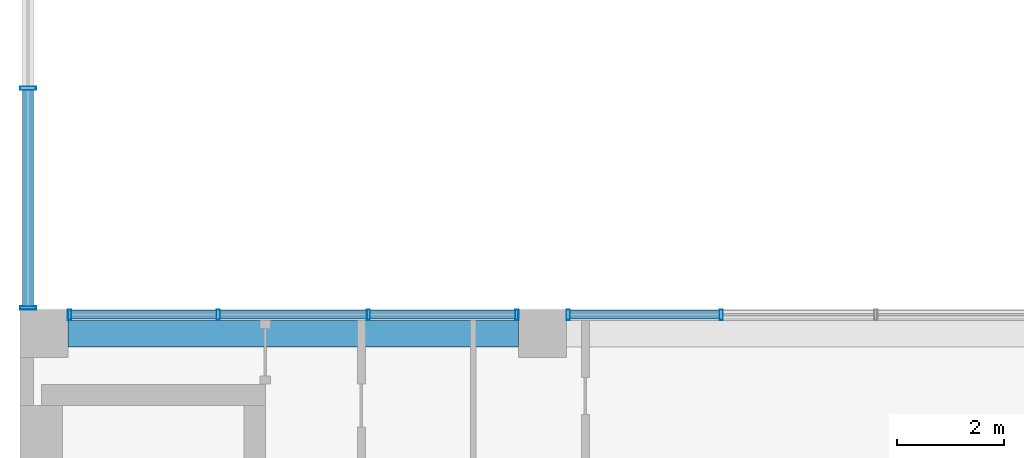
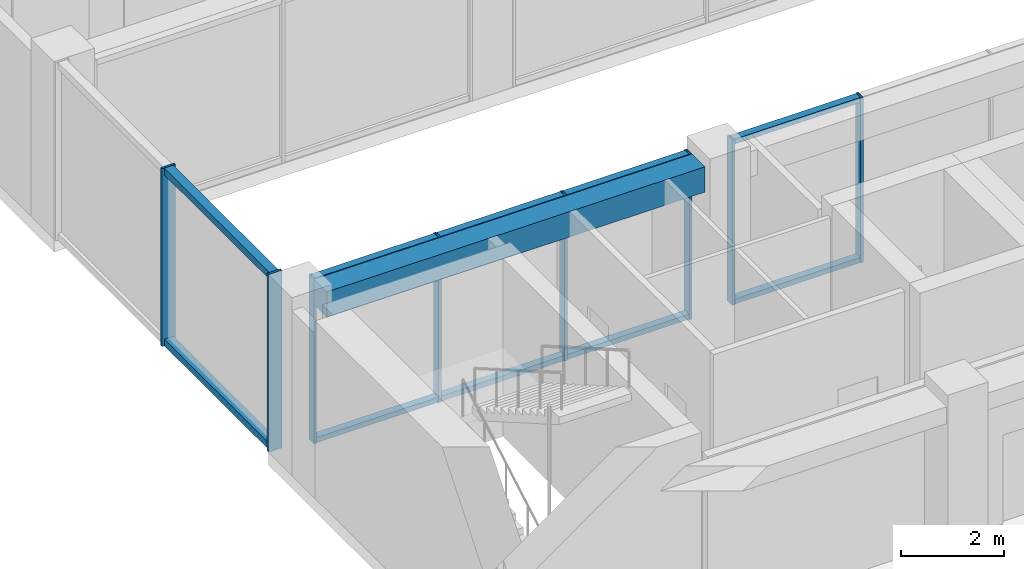
# One storey, part 6 of 37: 18 members, 1 beam, 3 elements without a shape of their own.
"""IFC4 building model written with IfcOpenShell, lengths in metres."""

from ifc_helpers import new_model, si_unit, direction, frame, origin, origin_2d, place, context, subcontext, project, spatial, rectangle, hollow_rectangle, extrude, material, layer, layer_set, material_profile, profile_set, type_object, element, aggregate, save


model = new_model("IFC4")

# Units and contexts
model_context = context("Model", 3, precision=1e-05, world=origin(), true_north=direction((0.0, 1.0)))
body_context = subcontext(model_context, "Body", "Model", "MODEL_VIEW")
ifc_project = project(units=[si_unit("LENGTHUNIT", "METRE"), si_unit("AREAUNIT", "SQUARE_METRE"), si_unit("VOLUMEUNIT", "CUBIC_METRE"), si_unit("PLANEANGLEUNIT", "RADIAN"), si_unit("MASSUNIT", "GRAM", prefix="KILO")], contexts=[model_context])

# Site, building, storey
site_placement = place(None, origin())
site = spatial("IfcSite", under=ifc_project, at=site_placement, CompositionType="ELEMENT")
building_placement = place(site_placement, origin())
building = spatial("IfcBuilding", under=site, at=building_placement, Name="Nzadi Deep Aquarium and Research Tower", CompositionType="ELEMENT")
storey_placement = place(building_placement, frame((0.0, 0.0, 57.10009765625)))
storey = spatial("IfcBuildingStorey", under=building, at=storey_placement, Name="L11", CompositionType="ELEMENT", Elevation=57.10009765625)

# Curtain wall, members
ifc_material_1 = material(Name="Aluminium unitised frame", Category="aluminium")
ifc_layer_1 = layer(ifc_material_1, 0.199951171875)
ifc_layer_set_1 = layer_set([ifc_layer_1], Name="Aluminium unitised frame")
curtain_wall_type_1 = type_object("IfcCurtainWallType", Name="Curtain wall Unitised 200", PredefinedType="NOTDEFINED", material=ifc_layer_set_1)
curtain_wall_1_placement = place(storey_placement, origin())
curtain_wall_1 = element("IfcCurtainWall", 1, at=curtain_wall_1_placement, inside=storey, type_object=curtain_wall_type_1, Name="Unitised curtain wall blade A north L11", PredefinedType="NOTDEFINED")
ifc_material_2 = material(Name="Aluminium unitised frame", Category="aluminium")
ifc_material_profile_1 = material_profile(ifc_material_2, hollow_rectangle(XDim=0.199951171875, YDim=0.06005859375, WallThickness=0.0048828125, at=origin_2d()))
ifc_profile_set_1 = profile_set([ifc_material_profile_1], Name="Aluminium unitised frame")
member_type_1 = type_object("IfcMemberType", Name="Mullion 60x200 Unitised", PredefinedType="MULLION", material=ifc_profile_set_1)
member_1_placement = place(storey_placement, frame((0.72998046875, 18.75, 0.0), z_axis=(0.0, 0.0, 1.0), x_axis=(0.0, 1.0, 0.0)))
member_1 = element("IfcMember", 2, at=member_1_placement, type_object=member_type_1, Name="CW044 mullion 1", PredefinedType="MULLION", context=body_context, shape_type="SweptSolid", body=[
    extrude(hollow_rectangle(XDim=0.199951171875, YDim=0.06005859375, WallThickness=0.0048828125, at=origin_2d()), origin(), (0.0, 0.0, 1.0), 3.89990234375),
])
member_2_placement = place(storey_placement, frame((3.5166015625, 18.75, 0.0), z_axis=(0.0, 0.0, 1.0), x_axis=(0.0, 1.0, 0.0)))
member_2 = element("IfcMember", 3, at=member_2_placement, type_object=member_type_1, Name="CW044 mullion 2", PredefinedType="MULLION", context=body_context, shape_type="SweptSolid", body=[
    extrude(hollow_rectangle(XDim=0.199951171875, YDim=0.06005859375, WallThickness=0.0048828125, at=origin_2d()), origin(), (0.0, 0.0, 1.0), 3.89990234375),
])
member_3_placement = place(storey_placement, frame((6.333251953125, 18.75, 0.0), z_axis=(0.0, 0.0, 1.0), x_axis=(0.0, 1.0, 0.0)))
member_3 = element("IfcMember", 4, at=member_3_placement, type_object=member_type_1, Name="CW044 mullion 3", PredefinedType="MULLION", context=body_context, shape_type="SweptSolid", body=[
    extrude(hollow_rectangle(XDim=0.199951171875, YDim=0.06005859375, WallThickness=0.0048828125, at=origin_2d()), origin(), (0.0, 0.0, 1.0), 3.89990234375),
])
member_4_placement = place(storey_placement, frame((9.1201171875, 18.75, 0.0), z_axis=(0.0, 0.0, 1.0), x_axis=(0.0, 1.0, 0.0)))
member_4 = element("IfcMember", 5, at=member_4_placement, type_object=member_type_1, Name="CW044 mullion 4", PredefinedType="MULLION", context=body_context, shape_type="SweptSolid", body=[
    extrude(hollow_rectangle(XDim=0.199951171875, YDim=0.06005859375, WallThickness=0.0048828125, at=origin_2d()), origin(), (0.0, 0.0, 1.0), 3.89990234375),
])

curtain_wall_2_placement = place(storey_placement, origin())
curtain_wall_2 = element("IfcCurtainWall", 6, at=curtain_wall_2_placement, inside=storey, type_object=curtain_wall_type_1, Name="Unitised curtain wall blade A north L11", PredefinedType="NOTDEFINED")
member_5_placement = place(storey_placement, frame((10.080078125, 18.75, 0.0), z_axis=(0.0, 0.0, 1.0), x_axis=(0.0, 1.0, 0.0)))
member_5 = element("IfcMember", 7, at=member_5_placement, type_object=member_type_1, Name="CW045 mullion 1", PredefinedType="MULLION", context=body_context, shape_type="SweptSolid", body=[
    extrude(hollow_rectangle(XDim=0.199951171875, YDim=0.06005859375, WallThickness=0.0048828125, at=origin_2d()), origin(), (0.0, 0.0, 1.0), 3.89990234375),
])
member_6_placement = place(storey_placement, frame((12.949951171875, 18.75, 0.0), z_axis=(0.0, 0.0, 1.0), x_axis=(0.0, 1.0, 0.0)))
member_6 = element("IfcMember", 8, at=member_6_placement, type_object=member_type_1, Name="CW045 mullion 2", PredefinedType="MULLION", context=body_context, shape_type="SweptSolid", body=[
    extrude(hollow_rectangle(XDim=0.199951171875, YDim=0.06005859375, WallThickness=0.0048828125, at=origin_2d()), origin(), (0.0, 0.0, 1.0), 3.89990234375),
])

ifc_material_3 = material(Name="Aluminium unitised frame wind post", Category="aluminium")
ifc_layer_2 = layer(ifc_material_3, 0.300048828125)
ifc_layer_set_2 = layer_set([ifc_layer_2], Name="Aluminium unitised frame wind post")
curtain_wall_type_2 = type_object("IfcCurtainWallType", Name="Curtain wall Slot End 300", PredefinedType="NOTDEFINED", material=ifc_layer_set_2)
curtain_wall_3_placement = place(storey_placement, origin())
curtain_wall_3 = element("IfcCurtainWall", 9, at=curtain_wall_3_placement, inside=storey, type_object=curtain_wall_type_2, Name="Glazed slot end west L11", PredefinedType="NOTDEFINED")
ifc_material_4 = material(Name="Aluminium unitised frame wind post", Category="aluminium")
ifc_material_profile_2 = material_profile(ifc_material_4, hollow_rectangle(XDim=0.300048828125, YDim=0.06005859375, WallThickness=0.0048828125, at=origin_2d()))
ifc_profile_set_2 = profile_set([ifc_material_profile_2], Name="Aluminium unitised frame wind post")
member_type_2 = type_object("IfcMemberType", Name="Mullion 60x300 Slot End", PredefinedType="MULLION", material=ifc_profile_set_2)
member_7_placement = place(storey_placement, frame((-0.049560546875, 18.8798828125, 0.0), z_axis=(0.0, 0.0, 1.0), x_axis=(-1.0, 0.0, 0.0)))
member_7 = element("IfcMember", 10, at=member_7_placement, type_object=member_type_2, Name="CW213 mullion 1", PredefinedType="MULLION", context=body_context, shape_type="SweptSolid", body=[
    extrude(hollow_rectangle(XDim=0.300048828125, YDim=0.06005859375, WallThickness=0.0048828125, at=origin_2d()), origin(), (0.0, 0.0, 1.0), 4.199951171875),
])
member_8_placement = place(storey_placement, frame((-0.049560546875, 23.0, 0.0), z_axis=(0.0, 0.0, 1.0), x_axis=(-1.0, 0.0, 0.0)))
member_8 = element("IfcMember", 11, at=member_8_placement, type_object=member_type_2, Name="CW213 mullion 2", PredefinedType="MULLION", context=body_context, shape_type="SweptSolid", body=[
    extrude(hollow_rectangle(XDim=0.300048828125, YDim=0.06005859375, WallThickness=0.0048828125, at=origin_2d()), origin(), (0.0, 0.0, 1.0), 4.199951171875),
])

# Beam
ifc_material_5 = material(Name="Concrete C35/45", Category="concrete")
ifc_material_profile_3 = material_profile(ifc_material_5, rectangle(XDim=0.5, YDim=0.60009765625, at=origin_2d()))
ifc_profile_set_3 = profile_set([ifc_material_profile_3], Name="Concrete C35/45")
beam_type = type_object("IfcBeamType", Name="RC 500x600", PredefinedType="BEAM", material=ifc_profile_set_3)
beam_placement = place(storey_placement, frame((0.699951171875, 18.39990234375, 3.599853515625), z_axis=(1.0, 0.0, 0.0), x_axis=(0.0, 1.0, 0.0)))
element("IfcBeam", 12, at=beam_placement, inside=storey, type_object=beam_type, Name="B-Z1-L11-L3-1", PredefinedType="BEAM", context=body_context, shape_type="SweptSolid", body=[
    extrude(rectangle(XDim=0.5, YDim=0.60009765625, at=origin_2d()), origin(), (0.0, 0.0, 1.0), 8.449951171875),
])

# Member
ifc_material_6 = material(Name="Aluminium unitised frame", Category="aluminium")
ifc_material_profile_4 = material_profile(ifc_material_6, hollow_rectangle(XDim=0.159912109375, YDim=0.1201171875, WallThickness=0.0048828125, at=origin_2d()))
ifc_profile_set_4 = profile_set([ifc_material_profile_4], Name="Aluminium unitised frame")
member_type_3 = type_object("IfcMemberType", Name="Transom 120x160 Unitised", PredefinedType="MULLION", material=ifc_profile_set_4)
member_9_placement = place(storey_placement, frame((0.760009765625, 18.75, 0.059814453125), z_axis=(1.0, 0.0, 0.0), x_axis=(0.0, 1.0, 0.0)))
member_9 = element("IfcMember", 13, at=member_9_placement, type_object=member_type_3, Name="CW044 transom 1.1", PredefinedType="MULLION", context=body_context, shape_type="SweptSolid", body=[
    extrude(hollow_rectangle(XDim=0.159912109375, YDim=0.1201171875, WallThickness=0.0048828125, at=origin_2d()), origin(), (0.0, 0.0, 1.0), 2.7265625),
])

member_10_placement = place(storey_placement, frame((0.760009765625, 18.75, 3.83984375), z_axis=(1.0, 0.0, 0.0), x_axis=(0.0, 1.0, 0.0)))
member_10 = element("IfcMember", 14, at=member_10_placement, type_object=member_type_3, Name="CW044 transom 1.2", PredefinedType="MULLION", context=body_context, shape_type="SweptSolid", body=[
    extrude(hollow_rectangle(XDim=0.159912109375, YDim=0.1201171875, WallThickness=0.0048828125, at=origin_2d()), origin(), (0.0, 0.0, 1.0), 2.7265625),
])

member_11_placement = place(storey_placement, frame((3.546630859375, 18.75, 0.059814453125), z_axis=(1.0, 0.0, 0.0), x_axis=(0.0, 1.0, 0.0)))
member_11 = element("IfcMember", 15, at=member_11_placement, type_object=member_type_3, Name="CW044 transom 2.1", PredefinedType="MULLION", context=body_context, shape_type="SweptSolid", body=[
    extrude(hollow_rectangle(XDim=0.159912109375, YDim=0.1201171875, WallThickness=0.0048828125, at=origin_2d()), origin(), (0.0, 0.0, 1.0), 2.756591796875),
])

member_12_placement = place(storey_placement, frame((3.546630859375, 18.75, 3.83984375), z_axis=(1.0, 0.0, 0.0), x_axis=(0.0, 1.0, 0.0)))
member_12 = element("IfcMember", 16, at=member_12_placement, type_object=member_type_3, Name="CW044 transom 2.2", PredefinedType="MULLION", context=body_context, shape_type="SweptSolid", body=[
    extrude(hollow_rectangle(XDim=0.159912109375, YDim=0.1201171875, WallThickness=0.0048828125, at=origin_2d()), origin(), (0.0, 0.0, 1.0), 2.756591796875),
])

member_13_placement = place(storey_placement, frame((6.36328125, 18.75, 0.059814453125), z_axis=(1.0, 0.0, 0.0), x_axis=(0.0, 1.0, 0.0)))
member_13 = element("IfcMember", 17, at=member_13_placement, type_object=member_type_3, Name="CW044 transom 3.1", PredefinedType="MULLION", context=body_context, shape_type="SweptSolid", body=[
    extrude(hollow_rectangle(XDim=0.159912109375, YDim=0.1201171875, WallThickness=0.0048828125, at=origin_2d()), origin(), (0.0, 0.0, 1.0), 2.726806640625),
])

member_14_placement = place(storey_placement, frame((6.36328125, 18.75, 3.83984375), z_axis=(1.0, 0.0, 0.0), x_axis=(0.0, 1.0, 0.0)))
member_14 = element("IfcMember", 18, at=member_14_placement, type_object=member_type_3, Name="CW044 transom 3.2", PredefinedType="MULLION", context=body_context, shape_type="SweptSolid", body=[
    extrude(hollow_rectangle(XDim=0.159912109375, YDim=0.1201171875, WallThickness=0.0048828125, at=origin_2d()), origin(), (0.0, 0.0, 1.0), 2.726806640625),
])

aggregate(curtain_wall_1, [member_1, member_2, member_3, member_4, member_9, member_10, member_11, member_12, member_13, member_14])

member_15_placement = place(storey_placement, frame((10.110107421875, 18.75, 0.059814453125), z_axis=(1.0, 0.0, 0.0), x_axis=(0.0, 1.0, 0.0)))
member_15 = element("IfcMember", 19, at=member_15_placement, type_object=member_type_3, Name="CW045 transom 1.1", PredefinedType="MULLION", context=body_context, shape_type="SweptSolid", body=[
    extrude(hollow_rectangle(XDim=0.159912109375, YDim=0.1201171875, WallThickness=0.0048828125, at=origin_2d()), origin(), (0.0, 0.0, 1.0), 2.809814453125),
])

member_16_placement = place(storey_placement, frame((10.110107421875, 18.75, 3.83984375), z_axis=(1.0, 0.0, 0.0), x_axis=(0.0, 1.0, 0.0)))
member_16 = element("IfcMember", 20, at=member_16_placement, type_object=member_type_3, Name="CW045 transom 1.2", PredefinedType="MULLION", context=body_context, shape_type="SweptSolid", body=[
    extrude(hollow_rectangle(XDim=0.159912109375, YDim=0.1201171875, WallThickness=0.0048828125, at=origin_2d()), origin(), (0.0, 0.0, 1.0), 2.809814453125),
])

aggregate(curtain_wall_2, [member_5, member_6, member_15, member_16])

ifc_material_7 = material(Name="Aluminium unitised frame wind post", Category="aluminium")
ifc_material_profile_5 = material_profile(ifc_material_7, hollow_rectangle(XDim=0.199951171875, YDim=0.159912109375, WallThickness=0.0048828125, at=origin_2d()))
ifc_profile_set_5 = profile_set([ifc_material_profile_5], Name="Aluminium unitised frame wind post")
member_type_4 = type_object("IfcMemberType", Name="Transom 160x200 Slot End", PredefinedType="MULLION", material=ifc_profile_set_5)
member_17_placement = place(storey_placement, frame((-0.050048828125, 18.909912109375, 0.079833984375), z_axis=(0.0, 1.0, 0.0), x_axis=(-1.0, 0.0, 0.0)))
member_17 = element("IfcMember", 21, at=member_17_placement, type_object=member_type_4, Name="CW213 transom 1.1", PredefinedType="MULLION", context=body_context, shape_type="SweptSolid", body=[
    extrude(hollow_rectangle(XDim=0.199951171875, YDim=0.159912109375, WallThickness=0.0048828125, at=origin_2d()), origin(), (0.0, 0.0, 1.0), 4.06005859375),
])

member_18_placement = place(storey_placement, frame((-0.050048828125, 18.909912109375, 4.119873046875), z_axis=(0.0, 1.0, 0.0), x_axis=(-1.0, 0.0, 0.0)))
member_18 = element("IfcMember", 22, at=member_18_placement, type_object=member_type_4, Name="CW213 transom 1.2", PredefinedType="MULLION", context=body_context, shape_type="SweptSolid", body=[
    extrude(hollow_rectangle(XDim=0.199951171875, YDim=0.159912109375, WallThickness=0.0048828125, at=origin_2d()), origin(), (0.0, 0.0, 1.0), 4.06005859375),
])

aggregate(curtain_wall_3, [member_7, member_8, member_17, member_18])

save(model, "model.ifc")
